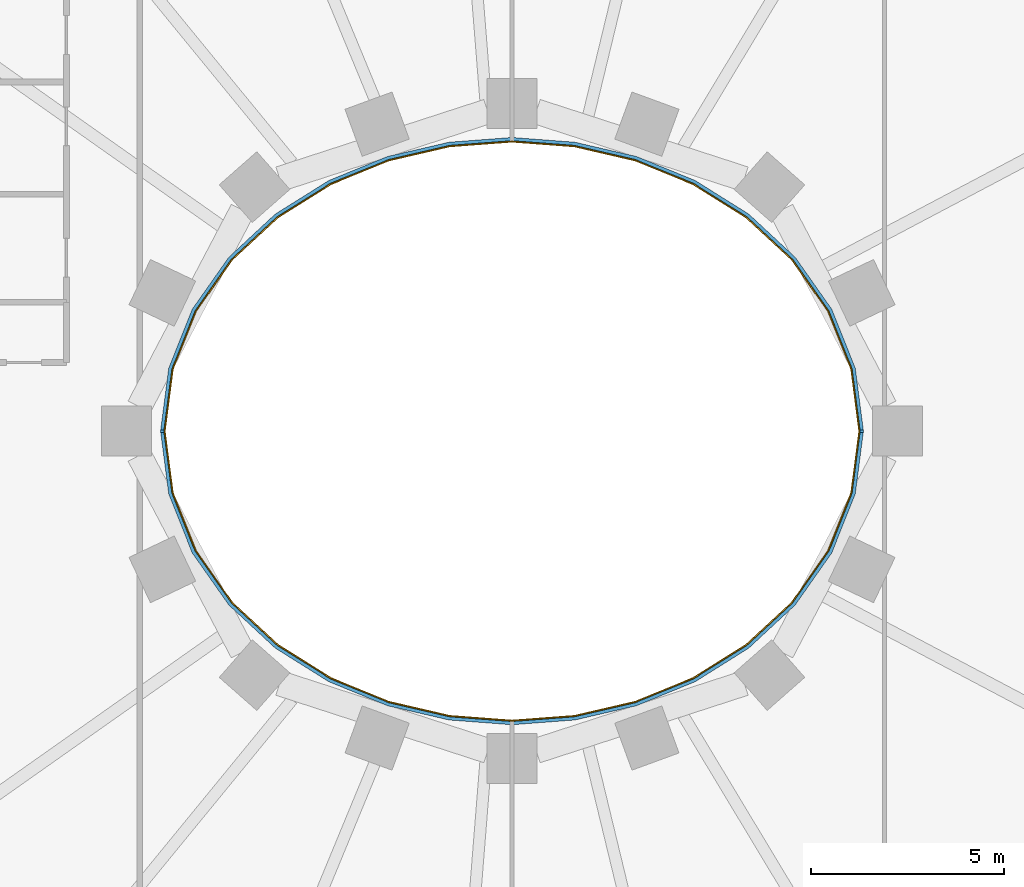
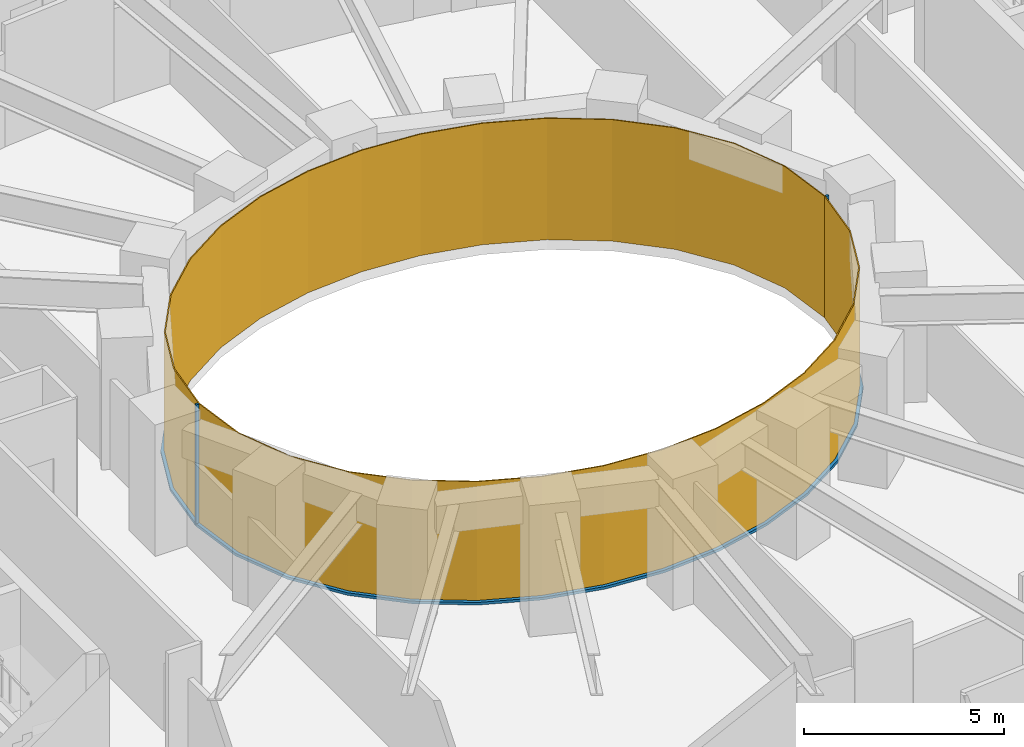
# One storey, part 11 of 16: 4 members, 2 curtain walls.
"""IFC4 building model written with IfcOpenShell, lengths in metres."""

import ifcopenshell
import ifcopenshell.guid

model = None  # the IFC model being written
_history = None  # IfcOwnerHistory: only IFC2X3 demands one
_inside = {}  # id of a spatial element -> (the spatial element, [elements in it])
_under = {}  # id of a project, library or spatial element -> (it, [spatial elements below it])
_declared = {}  # id of a project -> (the project, [libraries it declares])
_typed = {}  # id of a type object -> (the type object, [elements of that type])
_made_of = {}  # id of a material, layer set ... -> (it, [elements and type objects made of it])


def new_model(schema):
    """Start an empty IFC model of exactly this schema.

    Asked for "IFC4X3", IfcOpenShell would pick the latest addendum, in which some entities
    have other attributes; the version numbers below select the first issue.
    IFC2X3 requires an IfcOwnerHistory on every rooted entity: one is made here for all.
    """
    global model, _history
    if schema == "IFC4X3":
        model = ifcopenshell.file(schema_version=(4, 3, 0, 0))
    else:
        model = ifcopenshell.file(schema=schema)
    _inside.clear()
    _under.clear()
    _declared.clear()
    _typed.clear()
    _made_of.clear()
    _history = None
    if model.schema == "IFC2X3":
        org = make("IfcOrganization", Name="unknown")
        user = make(
            "IfcPersonAndOrganization",
            ThePerson=make("IfcPerson", FamilyName="unknown"),
            TheOrganization=org,
        )
        app = make(
            "IfcApplication",
            ApplicationDeveloper=org,
            Version="unknown",
            ApplicationFullName="unknown",
            ApplicationIdentifier="unknown",
        )
        _history = make(
            "IfcOwnerHistory",
            OwningUser=user,
            OwningApplication=app,
            ChangeAction="ADDED",
            CreationDate=0,
        )
    return model


def make(cls, **values):
    """One entity of the class cls with the attributes given. An attribute that is None is left unset."""
    return model.create_entity(
        cls, **{name: value for name, value in values.items() if value is not None}
    )


def rooted(cls, **values):
    """An entity with a GlobalId (a new one), such as an element, a storey or a relation."""
    return make(cls, GlobalId=ifcopenshell.guid.new(), OwnerHistory=_history, **values)


def si_unit(unit_type, name, prefix=None):
    """IfcSIUnit, for example si_unit("LENGTHUNIT", "METRE", prefix="MILLI")."""
    return make("IfcSIUnit", UnitType=unit_type, Prefix=prefix, Name=name)


def assignment(units):
    """IfcUnitAssignment: the units of a project."""
    return None if units is None else make("IfcUnitAssignment", Units=units)


def point(xyz):
    """IfcCartesianPoint."""
    return None if xyz is None else make("IfcCartesianPoint", Coordinates=xyz)


def direction(xyz):
    """IfcDirection."""
    return None if xyz is None else make("IfcDirection", DirectionRatios=xyz)


def frame(location, z_axis=None, x_axis=None):
    """IfcAxis2Placement3D, a coordinate frame: its origin and axes. An axis left out is left unset."""
    return make(
        "IfcAxis2Placement3D",
        Location=point(location),
        Axis=direction(z_axis),
        RefDirection=direction(x_axis),
    )


def frame_2d(location, x_axis=None):
    """IfcAxis2Placement2D, a coordinate frame in the plane: its origin and x axis."""
    return make(
        "IfcAxis2Placement2D", Location=point(location), RefDirection=direction(x_axis)
    )


def origin():
    """The frame at (0, 0, 0) with its axes left unset."""
    return frame((0.0, 0.0, 0.0))


def origin_2d():
    """The frame at (0, 0) in the plane with its x axis left unset."""
    return frame_2d((0.0, 0.0))


def place(relative_to, where):
    """IfcLocalPlacement: puts the frame where relative to a parent placement (None: the world)."""
    return make(
        "IfcLocalPlacement", PlacementRelTo=relative_to, RelativePlacement=where
    )


def context(
    kind, dimensions, precision=None, world=None, true_north=None, identifier=None
):
    """IfcGeometricRepresentationContext, for example the 3D "Model" context."""
    return make(
        "IfcGeometricRepresentationContext",
        ContextIdentifier=identifier,
        ContextType=kind,
        CoordinateSpaceDimension=dimensions,
        Precision=precision,
        WorldCoordinateSystem=world,
        TrueNorth=true_north,
    )


def subcontext(parent, identifier, kind, view, scale=None):
    """IfcGeometricRepresentationSubContext, for example "Body" below "Model"."""
    return make(
        "IfcGeometricRepresentationSubContext",
        ContextIdentifier=identifier,
        ContextType=kind,
        ParentContext=parent,
        TargetScale=scale,
        TargetView=view,
    )


def project(units=None, contexts=None):
    """IfcProject with its units and contexts."""
    return rooted(
        "IfcProject",
        Name="project",
        RepresentationContexts=contexts,
        UnitsInContext=assignment(units),
    )


def spatial(cls, under=None, at=None, **own):
    """A site, building, storey or space (cls), placed at a placement, below another one or the project."""
    s = rooted(cls, ObjectPlacement=at, **own)
    if under is not None:
        _under.setdefault(under.id(), (under, []))[1].append(s)
    return s


def polyline(points):
    """IfcPolyline through the points."""
    return make("IfcPolyline", Points=[point(p) for p in points])


def profile(cls, at=None, kind="AREA", **sizes):
    """A parametric profile (cls). Its sizes go by their IFC names, for example OverallWidth=200.0."""
    return make(cls, ProfileType=kind, Position=at, **sizes)


def rectangle(**sizes):
    """IfcRectangleProfileDef."""
    return profile("IfcRectangleProfileDef", **sizes)


def outline(outer, holes=None, kind="AREA"):
    """IfcArbitraryClosedProfileDef: a profile drawn as a closed curve; with holes, ...WithVoids."""
    if holes is None:
        return make("IfcArbitraryClosedProfileDef", ProfileType=kind, OuterCurve=outer)
    return make(
        "IfcArbitraryProfileDefWithVoids",
        ProfileType=kind,
        OuterCurve=outer,
        InnerCurves=holes,
    )


def extrude(swept, where, along, depth):
    """IfcExtrudedAreaSolid: the profile swept, set in the frame where, extruded along a direction by depth."""
    return make(
        "IfcExtrudedAreaSolid",
        SweptArea=swept,
        Position=where,
        ExtrudedDirection=direction(along),
        Depth=depth,
    )


def shape(context_of_items, identifier, shape_type, items):
    """IfcShapeRepresentation: the items that make up one representation, for example the "Body"."""
    return make(
        "IfcShapeRepresentation",
        ContextOfItems=context_of_items,
        RepresentationIdentifier=identifier,
        RepresentationType=shape_type,
        Items=items,
    )


def material(Name=None, Category=None):
    """IfcMaterial."""
    return make("IfcMaterial", Name=Name, Category=Category)


def layer(
    of_material, thickness, ventilated=None, Name=None, Category=None, Priority=None
):
    """IfcMaterialLayer: one layer of a wall or slab, of a material (None: an air gap)."""
    return make(
        "IfcMaterialLayer",
        Material=of_material,
        LayerThickness=thickness,
        IsVentilated=ventilated,
        Name=Name,
        Category=Category,
        Priority=Priority,
    )


def layer_set(layers, Name=None):
    """IfcMaterialLayerSet."""
    return make("IfcMaterialLayerSet", MaterialLayers=layers, LayerSetName=Name)


def material_profile(
    of_material, cross_section, Name=None, Category=None, Priority=None
):
    """IfcMaterialProfile: a cross section and its material."""
    return make(
        "IfcMaterialProfile",
        Name=Name,
        Material=of_material,
        Profile=cross_section,
        Priority=Priority,
        Category=Category,
    )


def profile_set(profiles, Name=None, composite=None):
    """IfcMaterialProfileSet."""
    return make(
        "IfcMaterialProfileSet",
        Name=Name,
        MaterialProfiles=profiles,
        CompositeProfile=composite,
    )


def made_of(thing, what):
    """Note that an element or type object is made of a material, layer set ...; save() writes the relation."""
    if what is not None:
        _made_of.setdefault(what.id(), (what, []))[1].append(thing)
    return thing


def type_object(cls, material=None, **own):
    """A type object (cls), such as IfcWallType, which elements share."""
    return made_of(rooted(cls, **own), material)


def element(
    cls,
    number,
    at=None,
    inside=None,
    cuts=None,
    type_object=None,
    material=None,
    context=None,
    identifier="Body",
    shape_type=None,
    held_by="IfcProductDefinitionShape",
    body=None,
    shapes=None,
    **own,
):
    """One element of the class cls, such as IfcWall. Its Tag is "e" and its number.

    at: its placement. inside: the storey or other place that contains it. cuts: it is an
    opening in that element (IfcRelVoidsElement). A single representation is given by context,
    identifier, shape_type and body (its items); several are given by shapes. held_by: the class
    of the entity that holds the representations. save() writes the other relations.
    """
    e = rooted(cls, Tag="e%d" % number, ObjectPlacement=at, **own)
    if body is not None:
        shapes = [shape(context, identifier, shape_type, body)]
    if shapes is not None:
        e.Representation = make(held_by, Representations=shapes)
    if inside is not None:
        _inside.setdefault(inside.id(), (inside, []))[1].append(e)
    if cuts is not None:
        rooted(
            "IfcRelVoidsElement", RelatingBuildingElement=cuts, RelatedOpeningElement=e
        )
    if type_object is not None:
        _typed.setdefault(type_object.id(), (type_object, []))[1].append(e)
    return made_of(e, material)


def aggregate(whole, parts):
    """IfcRelAggregates: a whole, such as a stair, and the parts it consists of."""
    return rooted("IfcRelAggregates", RelatingObject=whole, RelatedObjects=parts)


def save(model, path):
    """Write the relations noted so far, then the file.

    IfcRelAggregates (storeys below a building ...), IfcRelContainedInSpatialStructure (elements
    in a storey), IfcRelDefinesByType, IfcRelAssociatesMaterial and IfcRelDeclares: one each for
    every whole, place, type object, material and project.
    """
    for whole, parts in _under.values():
        aggregate(whole, parts)
    for where, things in _inside.values():
        rooted(
            "IfcRelContainedInSpatialStructure",
            RelatedElements=things,
            RelatingStructure=where,
        )
    for kind, things in _typed.values():
        rooted("IfcRelDefinesByType", RelatedObjects=things, RelatingType=kind)
    for what, things in _made_of.values():
        rooted("IfcRelAssociatesMaterial", RelatedObjects=things, RelatingMaterial=what)
    for by, libraries in _declared.values():
        rooted("IfcRelDeclares", RelatingContext=by, RelatedDefinitions=libraries)
    model.write(path)


model = new_model("IFC4")

# Units and contexts
model_context = context("Model", 3, precision=1e-05, world=origin(), true_north=direction((0.0, 1.0)))
body_context = subcontext(model_context, "Body", "Model", "MODEL_VIEW")
ifc_project = project(units=[si_unit("LENGTHUNIT", "METRE"), si_unit("AREAUNIT", "SQUARE_METRE"), si_unit("VOLUMEUNIT", "CUBIC_METRE"), si_unit("PLANEANGLEUNIT", "RADIAN"), si_unit("MASSUNIT", "GRAM", prefix="KILO")], contexts=[model_context])

# Member
ifc_material_1 = material(Name="Steel S355 fire-resisting frame", Category="steel")
ifc_material_profile = material_profile(ifc_material_1, rectangle(XDim=0.090087890625, YDim=0.06005859375, at=origin_2d()), Name="90x60")
ifc_profile_set = profile_set([ifc_material_profile], Name="Steel S355 fire-resisting frame")
member_type_1 = type_object("IfcMemberType", Name="ENV-MULLION-W-90", PredefinedType="MULLION", material=ifc_profile_set)
site_placement = place(None, origin())
building_placement = place(site_placement, origin())
storey_placement = place(building_placement, frame((0.0, 0.0, 74.5)))
member_1_placement = place(storey_placement, frame((9.076904296875, 0.0, 0.0), z_axis=(0.0, 0.0, 1.0), x_axis=(1.0, 0.0, 0.0)))
member_1 = element("IfcMember", 1, at=member_1_placement, type_object=member_type_1, Name="Mullion W well vertex 01", PredefinedType="MULLION", context=body_context, shape_type="SweptSolid", body=[
    extrude(rectangle(XDim=0.090087890625, YDim=0.06005859375, at=origin_2d()), origin(), (0.0, 0.0, 1.0), 3.699951171875),
])

member_2_placement = place(storey_placement, frame((-9.076904296875, 0.0, 0.0), z_axis=(0.0, 0.0, 1.0), x_axis=(-1.0, 0.0, 0.0)))
member_2 = element("IfcMember", 2, at=member_2_placement, type_object=member_type_1, Name="Mullion W well vertex 17", PredefinedType="MULLION", context=body_context, shape_type="SweptSolid", body=[
    extrude(rectangle(XDim=0.090087890625, YDim=0.06005859375, at=origin_2d()), origin(), (0.0, 0.0, 1.0), 3.699951171875),
])

ifc_material_2 = material(Name="Steel S355 fire-resisting frame", Category="steel")
member_type_2 = type_object("IfcMemberType", Name="ENV-TRANSOM-W", PredefinedType="USERDEFINED", material=ifc_material_2)
member_3_placement = place(storey_placement, origin())
member_3 = element("IfcMember", 3, at=member_3_placement, type_object=member_type_2, Name="Transom W well 01-17", ObjectType="TRANSOM", PredefinedType="USERDEFINED", context=body_context, shape_type="SweptSolid", body=[
    extrude(outline(polyline([(9.119384765625, 0.02783203125), (8.910400390625, 1.63623046875), (8.29833984375, 3.167236328125), (7.35107421875, 4.5146484375), (6.1455078125, 5.6337890625), (4.75341796875, 6.50634765625), (3.233642578125, 7.127685546875), (1.635498046875, 7.498779296875), (0.0, 7.622314453125), (-1.635498046875, 7.498779296875), (-3.233642578125, 7.127685546875), (-4.75341796875, 6.50634765625), (-6.1455078125, 5.6337890625), (-7.35107421875, 4.5146484375), (-8.29833984375, 3.167236328125), (-8.910400390625, 1.63623046875), (-9.119384765625, 0.02783203125), (-9.02880859375, 0.02783203125), (-8.822509765625, 1.61328125), (-8.21875, 3.124267578125), (-7.282958984375, 4.455078125), (-6.090576171875, 5.56201171875), (-4.712158203125, 6.426025390625), (-3.206298828125, 7.04150390625), (-1.621826171875, 7.40966796875), (0.0, 7.531982421875), (1.621826171875, 7.40966796875), (3.206298828125, 7.04150390625), (4.712158203125, 6.426025390625), (6.090576171875, 5.56201171875), (7.282958984375, 4.455078125), (8.21875, 3.124267578125), (8.822509765625, 1.61328125), (9.02880859375, 0.02783203125), (9.119384765625, 0.02783203125)])), origin(), (0.0, 0.0, 1.0), 0.080078125),
])

member_4_placement = place(storey_placement, origin())
member_4 = element("IfcMember", 4, at=member_4_placement, type_object=member_type_2, Name="Transom W well 17-01", ObjectType="TRANSOM", PredefinedType="USERDEFINED", context=body_context, shape_type="SweptSolid", body=[
    extrude(outline(polyline([(-9.119384765625, -0.02783203125), (-8.910400390625, -1.63623046875), (-8.29833984375, -3.167236328125), (-7.35107421875, -4.5146484375), (-6.1455078125, -5.6337890625), (-4.75341796875, -6.50634765625), (-3.233642578125, -7.127685546875), (-1.635498046875, -7.498779296875), (0.0, -7.622314453125), (1.635498046875, -7.498779296875), (3.233642578125, -7.127685546875), (4.75341796875, -6.50634765625), (6.1455078125, -5.6337890625), (7.35107421875, -4.5146484375), (8.29833984375, -3.167236328125), (8.910400390625, -1.63623046875), (9.119384765625, -0.02783203125), (9.02880859375, -0.02783203125), (8.822509765625, -1.61328125), (8.21875, -3.124267578125), (7.282958984375, -4.455078125), (6.090576171875, -5.56201171875), (4.712158203125, -6.426025390625), (3.206298828125, -7.04150390625), (1.621826171875, -7.40966796875), (0.0, -7.531982421875), (-1.621826171875, -7.40966796875), (-3.206298828125, -7.04150390625), (-4.712158203125, -6.426025390625), (-6.090576171875, -5.56201171875), (-7.282958984375, -4.455078125), (-8.21875, -3.124267578125), (-8.822509765625, -1.61328125), (-9.02880859375, -0.02783203125), (-9.119384765625, -0.02783203125)])), origin(), (0.0, 0.0, 1.0), 0.080078125),
])

# Site, building, storey
site = spatial("IfcSite", under=ifc_project, at=site_placement, CompositionType="ELEMENT")
building = spatial("IfcBuilding", under=site, at=building_placement, Name="Noorbagh Ring Tower", CompositionType="ELEMENT")
storey = spatial("IfcBuildingStorey", under=building, at=storey_placement, Name="L16", CompositionType="ELEMENT", Elevation=74.5)

# Curtain wall
ifc_material_3 = material(Name="Glass fire-resisting E60 laminated", Category="glass")
ifc_layer = layer(ifc_material_3, 0.031982421875)
ifc_layer_set = layer_set([ifc_layer], Name="Glass fire-resisting E60 laminated")
curtain_wall_type = type_object("IfcCurtainWallType", Name="ENV-CW-W", PredefinedType="NOTDEFINED", material=ifc_layer_set)
curtain_wall_1_placement = place(storey_placement, origin())
curtain_wall_1 = element("IfcCurtainWall", 5, at=curtain_wall_1_placement, inside=storey, type_object=curtain_wall_type, Name="Curtain wall W W01", PredefinedType="NOTDEFINED", context=body_context, shape_type="SweptSolid", body=[
    extrude(outline(polyline([(9.0322265625, 0.0), (8.822509765625, 1.61328125), (8.21875, 3.124267578125), (7.282958984375, 4.455078125), (6.090576171875, 5.56201171875), (4.712158203125, 6.426025390625), (3.206298828125, 7.04150390625), (1.621826171875, 7.40966796875), (0.0, 7.531982421875), (-1.621826171875, 7.40966796875), (-3.206298828125, 7.04150390625), (-4.712158203125, 6.426025390625), (-6.090576171875, 5.56201171875), (-7.282958984375, 4.455078125), (-8.21875, 3.124267578125), (-8.822509765625, 1.61328125), (-9.0322265625, 0.0), (-9.0, 0.0), (-8.79150390625, 1.605224609375), (-8.1904296875, 3.10888671875), (-7.2587890625, 4.43408203125), (-6.071044921875, 5.53662109375), (-4.697509765625, 6.3974609375), (-3.196533203125, 7.010986328125), (-1.6171875, 7.3779296875), (0.0, 7.5), (1.6171875, 7.3779296875), (3.196533203125, 7.010986328125), (4.697509765625, 6.3974609375), (6.071044921875, 5.53662109375), (7.2587890625, 4.43408203125), (8.1904296875, 3.10888671875), (8.79150390625, 1.605224609375), (9.0, 0.0), (9.0322265625, 0.0)])), origin(), (0.0, 0.0, 1.0), 3.699951171875),
])

aggregate(curtain_wall_1, [member_1, member_2, member_3])

curtain_wall_2_placement = place(storey_placement, origin())
curtain_wall_2 = element("IfcCurtainWall", 6, at=curtain_wall_2_placement, inside=storey, type_object=curtain_wall_type, Name="Curtain wall W W17", PredefinedType="NOTDEFINED", context=body_context, shape_type="SweptSolid", body=[
    extrude(outline(polyline([(-9.0322265625, 0.0), (-8.822509765625, -1.61328125), (-8.21875, -3.124267578125), (-7.282958984375, -4.455078125), (-6.090576171875, -5.56201171875), (-4.712158203125, -6.426025390625), (-3.206298828125, -7.04150390625), (-1.621826171875, -7.40966796875), (0.0, -7.531982421875), (1.621826171875, -7.40966796875), (3.206298828125, -7.04150390625), (4.712158203125, -6.426025390625), (6.090576171875, -5.56201171875), (7.282958984375, -4.455078125), (8.21875, -3.124267578125), (8.822509765625, -1.61328125), (9.0322265625, 0.0), (9.0, 0.0), (8.79150390625, -1.605224609375), (8.1904296875, -3.10888671875), (7.2587890625, -4.43408203125), (6.071044921875, -5.53662109375), (4.697509765625, -6.3974609375), (3.196533203125, -7.010986328125), (1.6171875, -7.3779296875), (0.0, -7.5), (-1.6171875, -7.3779296875), (-3.196533203125, -7.010986328125), (-4.697509765625, -6.3974609375), (-6.071044921875, -5.53662109375), (-7.2587890625, -4.43408203125), (-8.1904296875, -3.10888671875), (-8.79150390625, -1.605224609375), (-9.0, 0.0), (-9.0322265625, 0.0)])), origin(), (0.0, 0.0, 1.0), 3.699951171875),
])

aggregate(curtain_wall_2, [member_4])

save(model, "model.ifc")
